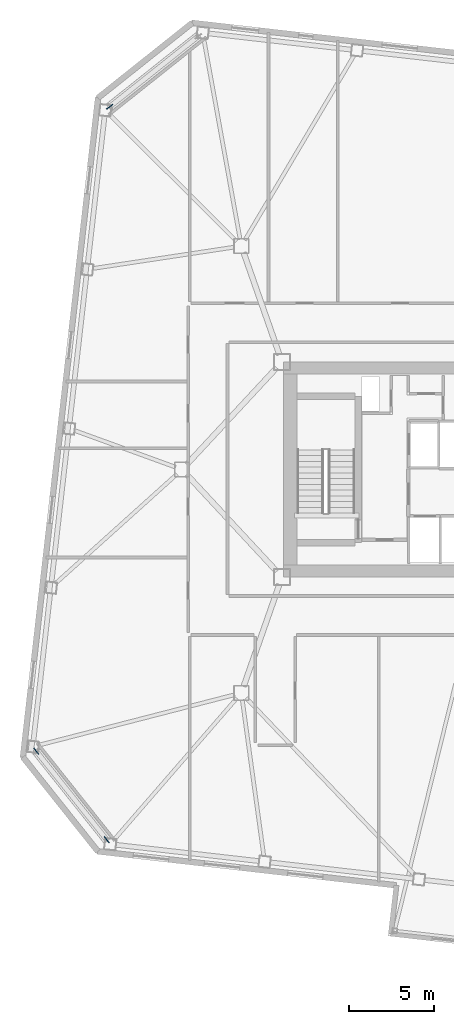
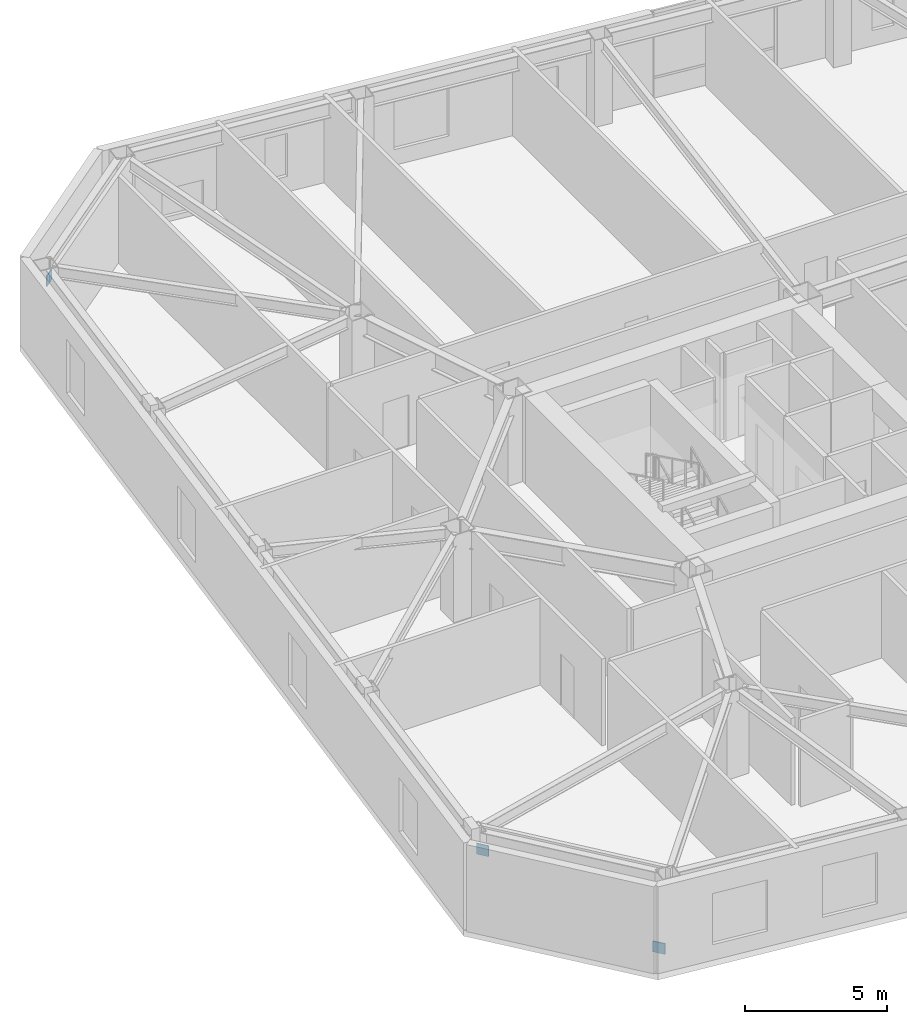
# One storey, part 15 of 19: 3 discrete accessories.
"""IFC4 building model written with IfcOpenShell, lengths in metres."""

from ifc_helpers import new_model, si_unit, direction, frame, origin, origin_2d, place, context, subcontext, project, spatial, rectangle, extrude, material, type_object, element, save


model = new_model("IFC4")

# Units and contexts
model_context = context("Model", 3, precision=1e-05, world=origin(), true_north=direction((0.0, 1.0)))
body_context = subcontext(model_context, "Body", "Model", "MODEL_VIEW")
ifc_project = project(units=[si_unit("LENGTHUNIT", "METRE"), si_unit("AREAUNIT", "SQUARE_METRE"), si_unit("VOLUMEUNIT", "CUBIC_METRE"), si_unit("PLANEANGLEUNIT", "RADIAN"), si_unit("MASSUNIT", "GRAM", prefix="KILO")], contexts=[model_context])

# Site, building, storey
site_placement = place(None, origin())
site = spatial("IfcSite", under=ifc_project, at=site_placement, CompositionType="ELEMENT")
building_placement = place(site_placement, origin())
building = spatial("IfcBuilding", under=site, at=building_placement, Name="Tavrogorsk Clinical Tower", CompositionType="ELEMENT")
storey_placement = place(building_placement, frame((0.0, 0.0, 101.39990234375)))
storey = spatial("IfcBuildingStorey", under=building, at=storey_placement, Name="L22", CompositionType="ELEMENT", Elevation=101.39990234375)

# Discrete accessories
ifc_material = material(Name="Structural steel S440", Category="steel")
discrete_accessory_type = type_object("IfcDiscreteAccessoryType", Name="GussetPlateBracket_25", PredefinedType="BRACKET", material=ifc_material)
for number, where, z_axis, x_axis, name in (
    (1, (-32.27587890625, 21.431884765625, 2.68505859375), (0.0, 0.0, 1.0), (-0.782608156852, -0.622514636638, 0.0), "L22 Brace Gusset Plate EXOCRN-L22-3-B"),
    (2, (-32.452880859375, -21.866455078125, 0.195068359375), (0.0, 0.0, 1.0), (-0.622514636638, 0.782608156852, 0.0), "L22 Brace Gusset Plate EXOCRN-L22-4-A"),
    (3, (-36.613037109375, -16.63623046875, 2.68505859375), (0.0, 0.0, 1.0), (-0.622514636638, 0.782608156852, 0.0), "L22 Brace Gusset Plate EXOCRN-L22-4-B"),
):
    element("IfcDiscreteAccessory", number, at=place(storey_placement, frame(where, z_axis=z_axis, x_axis=x_axis)), inside=storey, type_object=discrete_accessory_type, Name=name, PredefinedType="BRACKET", context=body_context, shape_type="SweptSolid", body=[
        extrude(rectangle(XDim=0.4599609375, YDim=0.0400390625, at=origin_2d()), origin(), (0.0, 0.0, 1.0), 0.4599609375),
    ])

save(model, "model.ifc")
